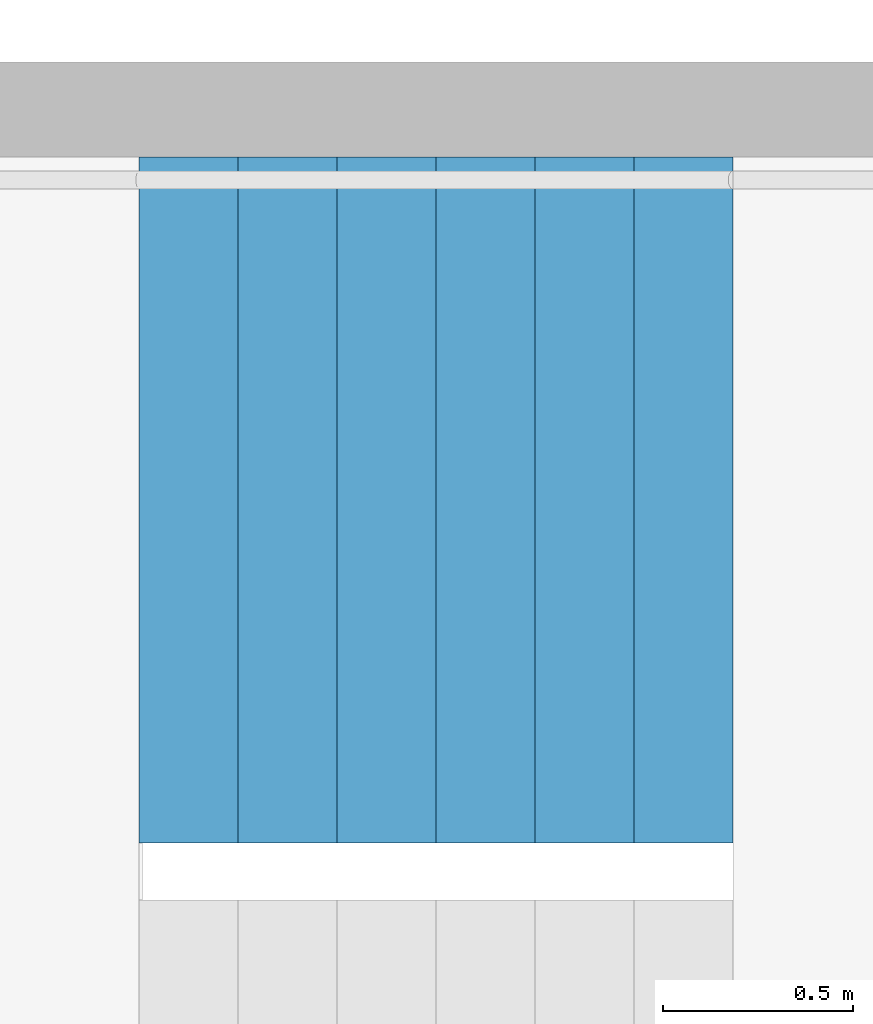
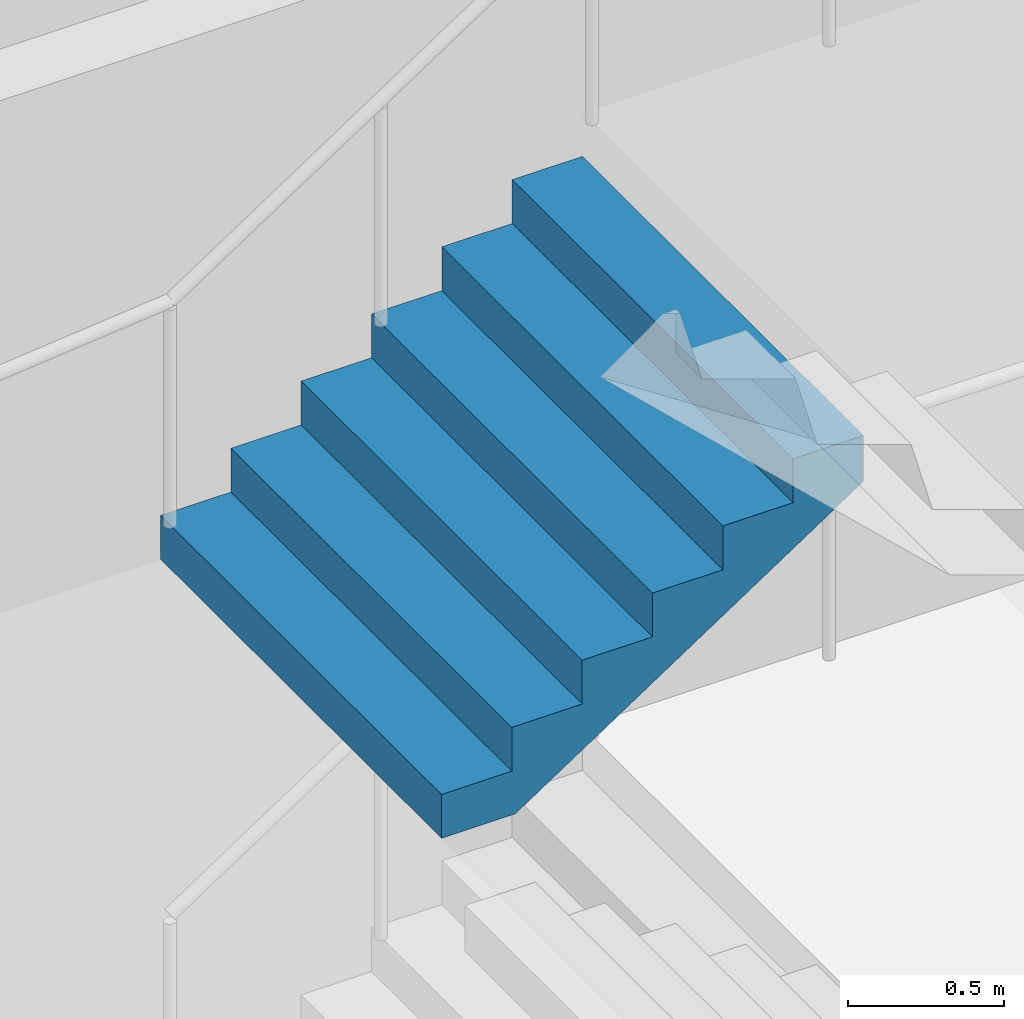
# One storey, part 38 of 53: 1 stair flight, 1 element without a shape of its own.
"""IFC4 building model written with IfcOpenShell, lengths in metres."""

from ifc_helpers import new_model, si_unit, direction, frame, origin, place, context, subcontext, project, spatial, triangles, material, type_object, element, aggregate, save


model = new_model("IFC4")

# Units and contexts
model_context = context("Model", 3, precision=1e-05, world=origin(), true_north=direction((0.0, 1.0)))
body_context = subcontext(model_context, "Body", "Model", "MODEL_VIEW")
ifc_project = project(units=[si_unit("LENGTHUNIT", "METRE"), si_unit("AREAUNIT", "SQUARE_METRE"), si_unit("VOLUMEUNIT", "CUBIC_METRE"), si_unit("PLANEANGLEUNIT", "RADIAN"), si_unit("MASSUNIT", "GRAM", prefix="KILO")], contexts=[model_context])

# Site, building, storey
site_placement = place(None, origin())
site = spatial("IfcSite", under=ifc_project, at=site_placement, CompositionType="ELEMENT")
building_placement = place(site_placement, origin())
building = spatial("IfcBuilding", under=site, at=building_placement, Name="Hakoniwa Tower and Hamabe Station Hall", CompositionType="ELEMENT")
storey_placement = place(building_placement, frame((0.0, 0.0, 15.0)))
storey = spatial("IfcBuildingStorey", under=building, at=storey_placement, Name="L03", CompositionType="ELEMENT", Elevation=15.0)

# Stair, stair flight
ifc_material_1 = material(Name="Concrete C40", Category="concrete")
stair_type = type_object("IfcStairType", Name="ESCAPE STAIR 1800", PredefinedType="HALF_TURN_STAIR", material=ifc_material_1)
stair_placement = place(storey_placement, origin())
stair = element("IfcStair", 1, at=stair_placement, inside=storey, type_object=stair_type, Name="Escape stair ST-4 L03", PredefinedType="HALF_TURN_STAIR")
ifc_material_2 = material(Name="Concrete C40", Category="concrete")
stair_flight_type = type_object("IfcStairFlightType", Name="STAIR FLIGHT 1800", PredefinedType="STRAIGHT", material=ifc_material_2)
stair_flight_placement = place(storey_placement, frame((23.39990234375, -4.64990234375, 2.39990234375), z_axis=(0.0, 0.0, 1.0), x_axis=(1.0, 0.0, 0.0)))
stair_flight = element("IfcStairFlight", 2, at=stair_flight_placement, type_object=stair_flight_type, Name="ST-4 flight 3", NumberOfRisers=7, NumberOfTreads=6, PredefinedType="STRAIGHT", RiserHeight=0.171428571, TreadLength=0.26, context=body_context, shape_type="Tessellation", body=[
    triangles([(0.0, 0.89990234375, 0.0), (0.260009765625, 0.89990234375, 0.0), (0.272216796875, 0.89990234375, 0.0), (0.52001953125, 0.89990234375, 0.163330078125), (0.780029296875, 0.89990234375, 0.334716796875), (1.0400390625, 0.89990234375, 0.506103515625), (1.300048828125, 0.89990234375, 0.677490234375), (1.56005859375, 0.89990234375, 0.84912109375), (1.56005859375, 0.89990234375, 1.028564453125), (1.300048828125, 0.89990234375, 1.028564453125), (1.300048828125, 0.89990234375, 0.857177734375), (1.0400390625, 0.89990234375, 0.857177734375), (1.0400390625, 0.89990234375, 0.685791015625), (0.780029296875, 0.89990234375, 0.685791015625), (0.780029296875, 0.89990234375, 0.514404296875), (0.52001953125, 0.89990234375, 0.514404296875), (0.52001953125, 0.89990234375, 0.3427734375), (0.272216796875, 0.89990234375, 0.3427734375), (0.260009765625, 0.89990234375, 0.3427734375), (0.260009765625, 0.89990234375, 0.17138671875), (0.0, 0.89990234375, 0.17138671875), (0.0, 0.06005859375, 0.0), (0.260009765625, 0.06005859375, 0.0), (0.272216796875, 0.06005859375, 0.0), (0.52001953125, 0.06005859375, 0.163330078125), (0.780029296875, 0.06005859375, 0.334716796875), (1.0400390625, 0.06005859375, 0.506103515625), (1.300048828125, 0.06005859375, 0.677490234375), (1.56005859375, 0.06005859375, 0.84912109375), (1.56005859375, 0.06005859375, 1.028564453125), (1.300048828125, 0.06005859375, 1.028564453125), (1.300048828125, 0.06005859375, 0.857177734375), (1.0400390625, 0.06005859375, 0.857177734375), (1.0400390625, 0.06005859375, 0.685791015625), (0.780029296875, 0.06005859375, 0.685791015625), (0.780029296875, 0.06005859375, 0.514404296875), (0.52001953125, 0.06005859375, 0.514404296875), (0.52001953125, 0.06005859375, 0.3427734375), (0.272216796875, 0.06005859375, 0.3427734375), (0.260009765625, 0.06005859375, 0.3427734375), (0.260009765625, 0.06005859375, 0.17138671875), (0.0, 0.06005859375, 0.17138671875), (0.0, 0.049072265625, 0.0), (0.260009765625, 0.049072265625, 0.0), (0.272216796875, 0.049072265625, 0.0), (0.52001953125, 0.049072265625, 0.163330078125), (0.780029296875, 0.049072265625, 0.334716796875), (1.0400390625, 0.049072265625, 0.506103515625), (1.300048828125, 0.049072265625, 0.677490234375), (1.56005859375, 0.049072265625, 0.84912109375), (1.56005859375, 0.049072265625, 1.028564453125), (1.300048828125, 0.049072265625, 1.028564453125), (1.300048828125, 0.049072265625, 0.857177734375), (1.0400390625, 0.049072265625, 0.857177734375), (1.0400390625, 0.049072265625, 0.685791015625), (0.780029296875, 0.049072265625, 0.685791015625), (0.780029296875, 0.049072265625, 0.514404296875), (0.52001953125, 0.049072265625, 0.514404296875), (0.52001953125, 0.049072265625, 0.3427734375), (0.272216796875, 0.049072265625, 0.3427734375), (0.260009765625, 0.049072265625, 0.3427734375), (0.260009765625, 0.049072265625, 0.17138671875), (0.0, 0.049072265625, 0.17138671875), (0.0, 0.0380859375, 0.0), (0.260009765625, 0.0380859375, 0.0), (0.272216796875, 0.0380859375, 0.0), (0.52001953125, 0.0380859375, 0.163330078125), (0.780029296875, 0.0380859375, 0.334716796875), (1.0400390625, 0.0380859375, 0.506103515625), (1.300048828125, 0.0380859375, 0.677490234375), (1.56005859375, 0.0380859375, 0.84912109375), (1.56005859375, 0.0380859375, 1.028564453125), (1.300048828125, 0.0380859375, 1.028564453125), (1.300048828125, 0.0380859375, 0.857177734375), (1.0400390625, 0.0380859375, 0.857177734375), (1.0400390625, 0.0380859375, 0.685791015625), (0.780029296875, 0.0380859375, 0.685791015625), (0.780029296875, 0.0380859375, 0.514404296875), (0.52001953125, 0.0380859375, 0.514404296875), (0.52001953125, 0.0380859375, 0.3427734375), (0.272216796875, 0.0380859375, 0.3427734375), (0.260009765625, 0.0380859375, 0.3427734375), (0.260009765625, 0.0380859375, 0.17138671875), (0.0, 0.0380859375, 0.17138671875), (0.0, 0.02734375, 0.0), (0.260009765625, 0.02734375, 0.0), (0.272216796875, 0.02734375, 0.0), (0.52001953125, 0.02734375, 0.163330078125), (0.780029296875, 0.02734375, 0.334716796875), (1.0400390625, 0.02734375, 0.506103515625), (1.300048828125, 0.02734375, 0.677490234375), (1.56005859375, 0.02734375, 0.84912109375), (1.56005859375, 0.02734375, 1.028564453125), (1.300048828125, 0.02734375, 1.028564453125), (1.300048828125, 0.02734375, 0.857177734375), (1.0400390625, 0.02734375, 0.857177734375), (1.0400390625, 0.02734375, 0.685791015625), (0.780029296875, 0.02734375, 0.685791015625), (0.780029296875, 0.02734375, 0.514404296875), (0.52001953125, 0.02734375, 0.514404296875), (0.52001953125, 0.02734375, 0.3427734375), (0.272216796875, 0.02734375, 0.3427734375), (0.260009765625, 0.02734375, 0.3427734375), (0.260009765625, 0.02734375, 0.17138671875), (0.0, 0.02734375, 0.17138671875), (0.0, 0.016357421875, 0.0), (0.260009765625, 0.016357421875, 0.0), (0.272216796875, 0.016357421875, 0.0), (0.52001953125, 0.016357421875, 0.163330078125), (0.780029296875, 0.016357421875, 0.334716796875), (1.0400390625, 0.016357421875, 0.506103515625), (1.300048828125, 0.016357421875, 0.677490234375), (1.56005859375, 0.016357421875, 0.84912109375), (1.56005859375, 0.016357421875, 1.028564453125), (1.300048828125, 0.016357421875, 1.028564453125), (1.300048828125, 0.016357421875, 0.857177734375), (1.0400390625, 0.016357421875, 0.857177734375), (1.0400390625, 0.016357421875, 0.685791015625), (0.780029296875, 0.016357421875, 0.685791015625), (0.780029296875, 0.016357421875, 0.514404296875), (0.52001953125, 0.016357421875, 0.514404296875), (0.52001953125, 0.016357421875, 0.3427734375), (0.272216796875, 0.016357421875, 0.3427734375), (0.260009765625, 0.016357421875, 0.3427734375), (0.260009765625, 0.016357421875, 0.17138671875), (0.0, 0.016357421875, 0.17138671875), (0.0, 0.00537109375, 0.0), (0.260009765625, 0.00537109375, 0.0), (0.272216796875, 0.00537109375, 0.0), (0.52001953125, 0.00537109375, 0.163330078125), (0.780029296875, 0.00537109375, 0.334716796875), (1.0400390625, 0.00537109375, 0.506103515625), (1.300048828125, 0.00537109375, 0.677490234375), (1.56005859375, 0.00537109375, 0.84912109375), (1.56005859375, 0.00537109375, 1.028564453125), (1.300048828125, 0.00537109375, 1.028564453125), (1.300048828125, 0.00537109375, 0.857177734375), (1.0400390625, 0.00537109375, 0.857177734375), (1.0400390625, 0.00537109375, 0.685791015625), (0.780029296875, 0.00537109375, 0.685791015625), (0.780029296875, 0.00537109375, 0.514404296875), (0.52001953125, 0.00537109375, 0.514404296875), (0.52001953125, 0.00537109375, 0.3427734375), (0.272216796875, 0.00537109375, 0.3427734375), (0.260009765625, 0.00537109375, 0.3427734375), (0.260009765625, 0.00537109375, 0.17138671875), (0.0, 0.00537109375, 0.17138671875), (0.0, -0.00537109375, 0.0), (0.260009765625, -0.00537109375, 0.0), (0.272216796875, -0.00537109375, 0.0), (0.52001953125, -0.00537109375, 0.163330078125), (0.780029296875, -0.00537109375, 0.334716796875), (1.0400390625, -0.00537109375, 0.506103515625), (1.300048828125, -0.00537109375, 0.677490234375), (1.56005859375, -0.00537109375, 0.84912109375), (1.56005859375, -0.00537109375, 1.028564453125), (1.300048828125, -0.00537109375, 1.028564453125), (1.300048828125, -0.00537109375, 0.857177734375), (1.0400390625, -0.00537109375, 0.857177734375), (1.0400390625, -0.00537109375, 0.685791015625), (0.780029296875, -0.00537109375, 0.685791015625), (0.780029296875, -0.00537109375, 0.514404296875), (0.52001953125, -0.00537109375, 0.514404296875), (0.52001953125, -0.00537109375, 0.3427734375), (0.272216796875, -0.00537109375, 0.3427734375), (0.260009765625, -0.00537109375, 0.3427734375), (0.260009765625, -0.00537109375, 0.17138671875), (0.0, -0.00537109375, 0.17138671875), (0.0, -0.016357421875, 0.0), (0.260009765625, -0.016357421875, 0.0), (0.272216796875, -0.016357421875, 0.0), (0.52001953125, -0.016357421875, 0.163330078125), (0.780029296875, -0.016357421875, 0.334716796875), (1.0400390625, -0.016357421875, 0.506103515625), (1.300048828125, -0.016357421875, 0.677490234375), (1.56005859375, -0.016357421875, 0.84912109375), (1.56005859375, -0.016357421875, 1.028564453125), (1.300048828125, -0.016357421875, 1.028564453125), (1.300048828125, -0.016357421875, 0.857177734375), (1.0400390625, -0.016357421875, 0.857177734375), (1.0400390625, -0.016357421875, 0.685791015625), (0.780029296875, -0.016357421875, 0.685791015625), (0.780029296875, -0.016357421875, 0.514404296875), (0.52001953125, -0.016357421875, 0.514404296875), (0.52001953125, -0.016357421875, 0.3427734375), (0.272216796875, -0.016357421875, 0.3427734375), (0.260009765625, -0.016357421875, 0.3427734375), (0.260009765625, -0.016357421875, 0.17138671875), (0.0, -0.016357421875, 0.17138671875), (0.0, -0.02734375, 0.0), (0.260009765625, -0.02734375, 0.0), (0.272216796875, -0.02734375, 0.0), (0.52001953125, -0.02734375, 0.163330078125), (0.780029296875, -0.02734375, 0.334716796875), (1.0400390625, -0.02734375, 0.506103515625), (1.300048828125, -0.02734375, 0.677490234375), (1.56005859375, -0.02734375, 0.84912109375), (1.56005859375, -0.02734375, 1.028564453125), (1.300048828125, -0.02734375, 1.028564453125), (1.300048828125, -0.02734375, 0.857177734375), (1.0400390625, -0.02734375, 0.857177734375), (1.0400390625, -0.02734375, 0.685791015625), (0.780029296875, -0.02734375, 0.685791015625), (0.780029296875, -0.02734375, 0.514404296875), (0.52001953125, -0.02734375, 0.514404296875), (0.52001953125, -0.02734375, 0.3427734375), (0.272216796875, -0.02734375, 0.3427734375), (0.260009765625, -0.02734375, 0.3427734375), (0.260009765625, -0.02734375, 0.17138671875), (0.0, -0.02734375, 0.17138671875), (0.0, -0.0380859375, 0.0), (0.260009765625, -0.0380859375, 0.0), (0.272216796875, -0.0380859375, 0.0), (0.52001953125, -0.0380859375, 0.163330078125), (0.780029296875, -0.0380859375, 0.334716796875), (1.0400390625, -0.0380859375, 0.506103515625), (1.300048828125, -0.0380859375, 0.677490234375), (1.56005859375, -0.0380859375, 0.84912109375), (1.56005859375, -0.0380859375, 1.028564453125), (1.300048828125, -0.0380859375, 1.028564453125), (1.300048828125, -0.0380859375, 0.857177734375), (1.0400390625, -0.0380859375, 0.857177734375), (1.0400390625, -0.0380859375, 0.685791015625), (0.780029296875, -0.0380859375, 0.685791015625), (0.780029296875, -0.0380859375, 0.514404296875), (0.52001953125, -0.0380859375, 0.514404296875), (0.52001953125, -0.0380859375, 0.3427734375), (0.272216796875, -0.0380859375, 0.3427734375), (0.260009765625, -0.0380859375, 0.3427734375), (0.260009765625, -0.0380859375, 0.17138671875), (0.0, -0.0380859375, 0.17138671875), (0.0, -0.049072265625, 0.0), (0.260009765625, -0.049072265625, 0.0), (0.272216796875, -0.049072265625, 0.0), (0.52001953125, -0.049072265625, 0.163330078125), (0.780029296875, -0.049072265625, 0.334716796875), (1.0400390625, -0.049072265625, 0.506103515625), (1.300048828125, -0.049072265625, 0.677490234375), (1.56005859375, -0.049072265625, 0.84912109375), (1.56005859375, -0.049072265625, 1.028564453125), (1.300048828125, -0.049072265625, 1.028564453125), (1.300048828125, -0.049072265625, 0.857177734375), (1.0400390625, -0.049072265625, 0.857177734375), (1.0400390625, -0.049072265625, 0.685791015625), (0.780029296875, -0.049072265625, 0.685791015625), (0.780029296875, -0.049072265625, 0.514404296875), (0.52001953125, -0.049072265625, 0.514404296875), (0.52001953125, -0.049072265625, 0.3427734375), (0.272216796875, -0.049072265625, 0.3427734375), (0.260009765625, -0.049072265625, 0.3427734375), (0.260009765625, -0.049072265625, 0.17138671875), (0.0, -0.049072265625, 0.17138671875), (0.0, -0.06005859375, 0.0), (0.260009765625, -0.06005859375, 0.0), (0.272216796875, -0.06005859375, 0.0), (0.52001953125, -0.06005859375, 0.163330078125), (0.780029296875, -0.06005859375, 0.334716796875), (1.0400390625, -0.06005859375, 0.506103515625), (1.300048828125, -0.06005859375, 0.677490234375), (1.56005859375, -0.06005859375, 0.84912109375), (1.56005859375, -0.06005859375, 1.028564453125), (1.300048828125, -0.06005859375, 1.028564453125), (1.300048828125, -0.06005859375, 0.857177734375), (1.0400390625, -0.06005859375, 0.857177734375), (1.0400390625, -0.06005859375, 0.685791015625), (0.780029296875, -0.06005859375, 0.685791015625), (0.780029296875, -0.06005859375, 0.514404296875), (0.52001953125, -0.06005859375, 0.514404296875), (0.52001953125, -0.06005859375, 0.3427734375), (0.272216796875, -0.06005859375, 0.3427734375), (0.260009765625, -0.06005859375, 0.3427734375), (0.260009765625, -0.06005859375, 0.17138671875), (0.0, -0.06005859375, 0.17138671875), (0.0, -0.89990234375, 0.0), (0.260009765625, -0.89990234375, 0.0), (0.272216796875, -0.89990234375, 0.0), (0.52001953125, -0.89990234375, 0.163330078125), (0.780029296875, -0.89990234375, 0.334716796875), (1.0400390625, -0.89990234375, 0.506103515625), (1.300048828125, -0.89990234375, 0.677490234375), (1.56005859375, -0.89990234375, 0.84912109375), (1.56005859375, -0.89990234375, 1.028564453125), (1.300048828125, -0.89990234375, 1.028564453125), (1.300048828125, -0.89990234375, 0.857177734375), (1.0400390625, -0.89990234375, 0.857177734375), (1.0400390625, -0.89990234375, 0.685791015625), (0.780029296875, -0.89990234375, 0.685791015625), (0.780029296875, -0.89990234375, 0.514404296875), (0.52001953125, -0.89990234375, 0.514404296875), (0.52001953125, -0.89990234375, 0.3427734375), (0.272216796875, -0.89990234375, 0.3427734375), (0.260009765625, -0.89990234375, 0.3427734375), (0.260009765625, -0.89990234375, 0.17138671875), (0.0, -0.89990234375, 0.17138671875)], [[2, 21, 20], [275, 293, 294], [2, 1, 21], [275, 294, 274], [3, 19, 18], [276, 291, 292], [3, 20, 19], [276, 292, 293], [3, 2, 20], [276, 293, 275], [4, 18, 17], [277, 290, 291], [4, 3, 18], [277, 291, 276], [5, 16, 15], [278, 288, 289], [5, 17, 16], [278, 289, 290], [5, 4, 17], [278, 290, 277], [6, 14, 13], [279, 286, 287], [6, 15, 14], [279, 287, 288], [6, 5, 15], [279, 288, 278], [7, 12, 11], [280, 284, 285], [7, 13, 12], [280, 285, 286], [7, 6, 13], [280, 286, 279], [8, 10, 9], [281, 282, 283], [8, 11, 10], [281, 283, 284], [8, 7, 11], [281, 284, 280], [1, 2, 23], [1, 23, 22], [22, 23, 44], [22, 44, 43], [43, 44, 65], [43, 65, 64], [64, 65, 86], [64, 86, 85], [85, 86, 107], [85, 107, 106], [106, 107, 128], [106, 128, 127], [127, 128, 149], [127, 149, 148], [148, 149, 170], [148, 170, 169], [169, 170, 191], [169, 191, 190], [190, 191, 212], [190, 212, 211], [211, 212, 233], [211, 233, 232], [232, 233, 254], [232, 254, 253], [253, 254, 275], [253, 275, 274], [2, 3, 24], [2, 24, 23], [23, 24, 45], [23, 45, 44], [44, 45, 66], [44, 66, 65], [65, 66, 87], [65, 87, 86], [86, 87, 108], [86, 108, 107], [107, 108, 129], [107, 129, 128], [128, 129, 150], [128, 150, 149], [149, 150, 171], [149, 171, 170], [170, 171, 192], [170, 192, 191], [191, 192, 213], [191, 213, 212], [212, 213, 234], [212, 234, 233], [233, 234, 255], [233, 255, 254], [254, 255, 276], [254, 276, 275], [3, 4, 25], [3, 25, 24], [24, 25, 46], [24, 46, 45], [45, 46, 67], [45, 67, 66], [66, 67, 88], [66, 88, 87], [87, 88, 109], [87, 109, 108], [108, 109, 130], [108, 130, 129], [129, 130, 151], [129, 151, 150], [150, 151, 172], [150, 172, 171], [171, 172, 193], [171, 193, 192], [192, 193, 214], [192, 214, 213], [213, 214, 235], [213, 235, 234], [234, 235, 256], [234, 256, 255], [255, 256, 277], [255, 277, 276], [4, 5, 26], [4, 26, 25], [25, 26, 47], [25, 47, 46], [46, 47, 68], [46, 68, 67], [67, 68, 89], [67, 89, 88], [88, 89, 110], [88, 110, 109], [109, 110, 131], [109, 131, 130], [130, 131, 152], [130, 152, 151], [151, 152, 173], [151, 173, 172], [172, 173, 194], [172, 194, 193], [193, 194, 215], [193, 215, 214], [214, 215, 236], [214, 236, 235], [235, 236, 257], [235, 257, 256], [256, 257, 278], [256, 278, 277], [5, 6, 27], [5, 27, 26], [26, 27, 48], [26, 48, 47], [47, 48, 69], [47, 69, 68], [68, 69, 90], [68, 90, 89], [89, 90, 111], [89, 111, 110], [110, 111, 132], [110, 132, 131], [131, 132, 153], [131, 153, 152], [152, 153, 174], [152, 174, 173], [173, 174, 195], [173, 195, 194], [194, 195, 216], [194, 216, 215], [215, 216, 237], [215, 237, 236], [236, 237, 258], [236, 258, 257], [257, 258, 279], [257, 279, 278], [6, 7, 28], [6, 28, 27], [27, 28, 49], [27, 49, 48], [48, 49, 70], [48, 70, 69], [69, 70, 91], [69, 91, 90], [90, 91, 112], [90, 112, 111], [111, 112, 133], [111, 133, 132], [132, 133, 154], [132, 154, 153], [153, 154, 175], [153, 175, 174], [174, 175, 196], [174, 196, 195], [195, 196, 217], [195, 217, 216], [216, 217, 238], [216, 238, 237], [237, 238, 259], [237, 259, 258], [258, 259, 280], [258, 280, 279], [7, 8, 29], [7, 29, 28], [28, 29, 50], [28, 50, 49], [49, 50, 71], [49, 71, 70], [70, 71, 92], [70, 92, 91], [91, 92, 113], [91, 113, 112], [112, 113, 134], [112, 134, 133], [133, 134, 155], [133, 155, 154], [154, 155, 176], [154, 176, 175], [175, 176, 197], [175, 197, 196], [196, 197, 218], [196, 218, 217], [217, 218, 239], [217, 239, 238], [238, 239, 260], [238, 260, 259], [259, 260, 281], [259, 281, 280], [8, 9, 30], [8, 30, 29], [29, 30, 51], [29, 51, 50], [50, 51, 72], [50, 72, 71], [71, 72, 93], [71, 93, 92], [92, 93, 114], [92, 114, 113], [113, 114, 135], [113, 135, 134], [134, 135, 156], [134, 156, 155], [155, 156, 177], [155, 177, 176], [176, 177, 198], [176, 198, 197], [197, 198, 219], [197, 219, 218], [218, 219, 240], [218, 240, 239], [239, 240, 261], [239, 261, 260], [260, 261, 282], [260, 282, 281], [9, 10, 31], [9, 31, 30], [30, 31, 52], [30, 52, 51], [51, 52, 73], [51, 73, 72], [72, 73, 94], [72, 94, 93], [93, 94, 115], [93, 115, 114], [114, 115, 136], [114, 136, 135], [135, 136, 157], [135, 157, 156], [156, 157, 178], [156, 178, 177], [177, 178, 199], [177, 199, 198], [198, 199, 220], [198, 220, 219], [219, 220, 241], [219, 241, 240], [240, 241, 262], [240, 262, 261], [261, 262, 283], [261, 283, 282], [10, 11, 32], [10, 32, 31], [31, 32, 53], [31, 53, 52], [52, 53, 74], [52, 74, 73], [73, 74, 95], [73, 95, 94], [94, 95, 116], [94, 116, 115], [115, 116, 137], [115, 137, 136], [136, 137, 158], [136, 158, 157], [157, 158, 179], [157, 179, 178], [178, 179, 200], [178, 200, 199], [199, 200, 221], [199, 221, 220], [220, 221, 242], [220, 242, 241], [241, 242, 263], [241, 263, 262], [262, 263, 284], [262, 284, 283], [11, 12, 33], [11, 33, 32], [32, 33, 54], [32, 54, 53], [53, 54, 75], [53, 75, 74], [74, 75, 96], [74, 96, 95], [95, 96, 117], [95, 117, 116], [116, 117, 138], [116, 138, 137], [137, 138, 159], [137, 159, 158], [158, 159, 180], [158, 180, 179], [179, 180, 201], [179, 201, 200], [200, 201, 222], [200, 222, 221], [221, 222, 243], [221, 243, 242], [242, 243, 264], [242, 264, 263], [263, 264, 285], [263, 285, 284], [12, 13, 34], [12, 34, 33], [33, 34, 55], [33, 55, 54], [54, 55, 76], [54, 76, 75], [75, 76, 97], [75, 97, 96], [96, 97, 118], [96, 118, 117], [117, 118, 139], [117, 139, 138], [138, 139, 160], [138, 160, 159], [159, 160, 181], [159, 181, 180], [180, 181, 202], [180, 202, 201], [201, 202, 223], [201, 223, 222], [222, 223, 244], [222, 244, 243], [243, 244, 265], [243, 265, 264], [264, 265, 286], [264, 286, 285], [13, 14, 35], [13, 35, 34], [34, 35, 56], [34, 56, 55], [55, 56, 77], [55, 77, 76], [76, 77, 98], [76, 98, 97], [97, 98, 119], [97, 119, 118], [118, 119, 140], [118, 140, 139], [139, 140, 161], [139, 161, 160], [160, 161, 182], [160, 182, 181], [181, 182, 203], [181, 203, 202], [202, 203, 224], [202, 224, 223], [223, 224, 245], [223, 245, 244], [244, 245, 266], [244, 266, 265], [265, 266, 287], [265, 287, 286], [14, 15, 36], [14, 36, 35], [35, 36, 57], [35, 57, 56], [56, 57, 78], [56, 78, 77], [77, 78, 99], [77, 99, 98], [98, 99, 120], [98, 120, 119], [119, 120, 141], [119, 141, 140], [140, 141, 162], [140, 162, 161], [161, 162, 183], [161, 183, 182], [182, 183, 204], [182, 204, 203], [203, 204, 225], [203, 225, 224], [224, 225, 246], [224, 246, 245], [245, 246, 267], [245, 267, 266], [266, 267, 288], [266, 288, 287], [15, 16, 37], [15, 37, 36], [36, 37, 58], [36, 58, 57], [57, 58, 79], [57, 79, 78], [78, 79, 100], [78, 100, 99], [99, 100, 121], [99, 121, 120], [120, 121, 142], [120, 142, 141], [141, 142, 163], [141, 163, 162], [162, 163, 184], [162, 184, 183], [183, 184, 205], [183, 205, 204], [204, 205, 226], [204, 226, 225], [225, 226, 247], [225, 247, 246], [246, 247, 268], [246, 268, 267], [267, 268, 289], [267, 289, 288], [16, 17, 38], [16, 38, 37], [37, 38, 59], [37, 59, 58], [58, 59, 80], [58, 80, 79], [79, 80, 101], [79, 101, 100], [100, 101, 122], [100, 122, 121], [121, 122, 143], [121, 143, 142], [142, 143, 164], [142, 164, 163], [163, 164, 185], [163, 185, 184], [184, 185, 206], [184, 206, 205], [205, 206, 227], [205, 227, 226], [226, 227, 248], [226, 248, 247], [247, 248, 269], [247, 269, 268], [268, 269, 290], [268, 290, 289], [17, 18, 39], [17, 39, 38], [38, 39, 60], [38, 60, 59], [59, 60, 81], [59, 81, 80], [80, 81, 102], [80, 102, 101], [101, 102, 123], [101, 123, 122], [122, 123, 144], [122, 144, 143], [143, 144, 165], [143, 165, 164], [164, 165, 186], [164, 186, 185], [185, 186, 207], [185, 207, 206], [206, 207, 228], [206, 228, 227], [227, 228, 249], [227, 249, 248], [248, 249, 270], [248, 270, 269], [269, 270, 291], [269, 291, 290], [18, 19, 40], [18, 40, 39], [39, 40, 61], [39, 61, 60], [60, 61, 82], [60, 82, 81], [81, 82, 103], [81, 103, 102], [102, 103, 124], [102, 124, 123], [123, 124, 145], [123, 145, 144], [144, 145, 166], [144, 166, 165], [165, 166, 187], [165, 187, 186], [186, 187, 208], [186, 208, 207], [207, 208, 229], [207, 229, 228], [228, 229, 250], [228, 250, 249], [249, 250, 271], [249, 271, 270], [270, 271, 292], [270, 292, 291], [19, 20, 41], [19, 41, 40], [40, 41, 62], [40, 62, 61], [61, 62, 83], [61, 83, 82], [82, 83, 104], [82, 104, 103], [103, 104, 125], [103, 125, 124], [124, 125, 146], [124, 146, 145], [145, 146, 167], [145, 167, 166], [166, 167, 188], [166, 188, 187], [187, 188, 209], [187, 209, 208], [208, 209, 230], [208, 230, 229], [229, 230, 251], [229, 251, 250], [250, 251, 272], [250, 272, 271], [271, 272, 293], [271, 293, 292], [20, 21, 42], [20, 42, 41], [41, 42, 63], [41, 63, 62], [62, 63, 84], [62, 84, 83], [83, 84, 105], [83, 105, 104], [104, 105, 126], [104, 126, 125], [125, 126, 147], [125, 147, 146], [146, 147, 168], [146, 168, 167], [167, 168, 189], [167, 189, 188], [188, 189, 210], [188, 210, 209], [209, 210, 231], [209, 231, 230], [230, 231, 252], [230, 252, 251], [251, 252, 273], [251, 273, 272], [272, 273, 294], [272, 294, 293], [21, 1, 22], [21, 22, 42], [42, 22, 43], [42, 43, 63], [63, 43, 64], [63, 64, 84], [84, 64, 85], [84, 85, 105], [105, 85, 106], [105, 106, 126], [126, 106, 127], [126, 127, 147], [147, 127, 148], [147, 148, 168], [168, 148, 169], [168, 169, 189], [189, 169, 190], [189, 190, 210], [210, 190, 211], [210, 211, 231], [231, 211, 232], [231, 232, 252], [252, 232, 253], [252, 253, 273], [273, 253, 274], [273, 274, 294]], closed=True),
])
aggregate(stair, [stair_flight])

save(model, "model.ifc")
